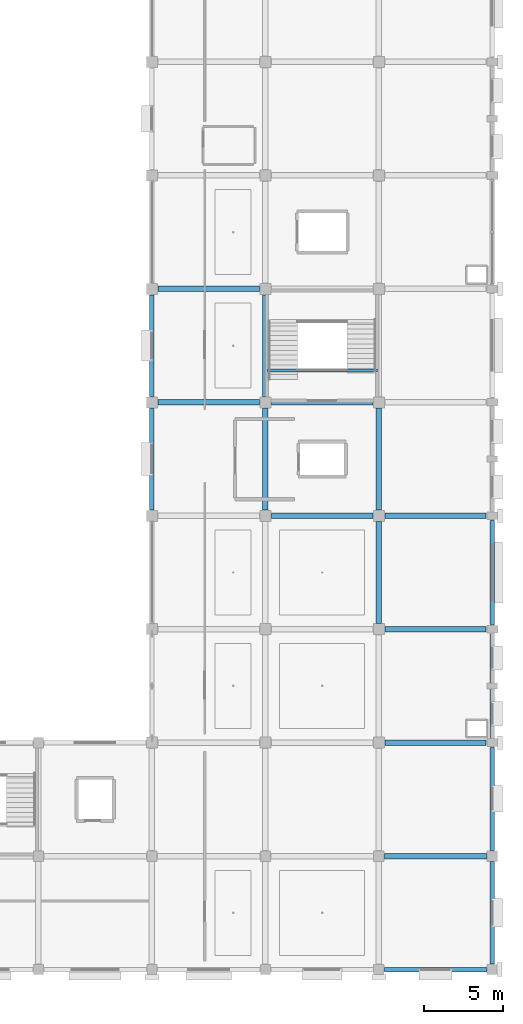
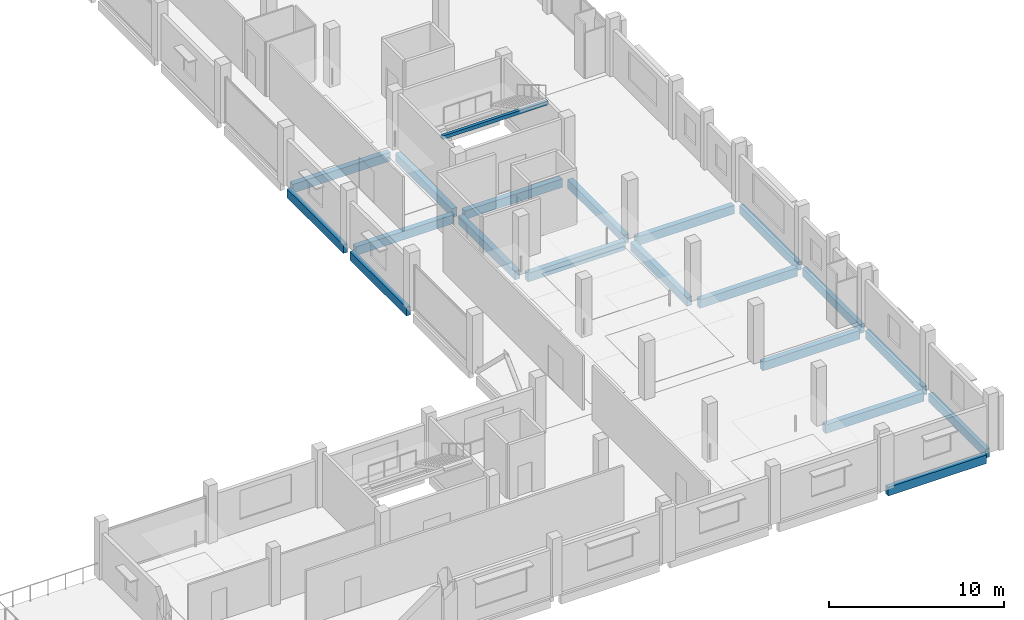
# One storey, part 40 of 91: 20 beams.
"""IFC4 building model written with IfcOpenShell, lengths in metres."""

import ifcopenshell
import ifcopenshell.guid

model = None  # the IFC model being written
_history = None  # IfcOwnerHistory: only IFC2X3 demands one
_inside = {}  # id of a spatial element -> (the spatial element, [elements in it])
_under = {}  # id of a project, library or spatial element -> (it, [spatial elements below it])
_declared = {}  # id of a project -> (the project, [libraries it declares])
_typed = {}  # id of a type object -> (the type object, [elements of that type])
_made_of = {}  # id of a material, layer set ... -> (it, [elements and type objects made of it])


def new_model(schema):
    """Start an empty IFC model of exactly this schema.

    Asked for "IFC4X3", IfcOpenShell would pick the latest addendum, in which some entities
    have other attributes; the version numbers below select the first issue.
    IFC2X3 requires an IfcOwnerHistory on every rooted entity: one is made here for all.
    """
    global model, _history
    if schema == "IFC4X3":
        model = ifcopenshell.file(schema_version=(4, 3, 0, 0))
    else:
        model = ifcopenshell.file(schema=schema)
    _inside.clear()
    _under.clear()
    _declared.clear()
    _typed.clear()
    _made_of.clear()
    _history = None
    if model.schema == "IFC2X3":
        org = make("IfcOrganization", Name="unknown")
        user = make(
            "IfcPersonAndOrganization",
            ThePerson=make("IfcPerson", FamilyName="unknown"),
            TheOrganization=org,
        )
        app = make(
            "IfcApplication",
            ApplicationDeveloper=org,
            Version="unknown",
            ApplicationFullName="unknown",
            ApplicationIdentifier="unknown",
        )
        _history = make(
            "IfcOwnerHistory",
            OwningUser=user,
            OwningApplication=app,
            ChangeAction="ADDED",
            CreationDate=0,
        )
    return model


def make(cls, **values):
    """One entity of the class cls with the attributes given. An attribute that is None is left unset."""
    return model.create_entity(
        cls, **{name: value for name, value in values.items() if value is not None}
    )


def rooted(cls, **values):
    """An entity with a GlobalId (a new one), such as an element, a storey or a relation."""
    return make(cls, GlobalId=ifcopenshell.guid.new(), OwnerHistory=_history, **values)


def si_unit(unit_type, name, prefix=None):
    """IfcSIUnit, for example si_unit("LENGTHUNIT", "METRE", prefix="MILLI")."""
    return make("IfcSIUnit", UnitType=unit_type, Prefix=prefix, Name=name)


def assignment(units):
    """IfcUnitAssignment: the units of a project."""
    return None if units is None else make("IfcUnitAssignment", Units=units)


def point(xyz):
    """IfcCartesianPoint."""
    return None if xyz is None else make("IfcCartesianPoint", Coordinates=xyz)


def direction(xyz):
    """IfcDirection."""
    return None if xyz is None else make("IfcDirection", DirectionRatios=xyz)


def frame(location, z_axis=None, x_axis=None):
    """IfcAxis2Placement3D, a coordinate frame: its origin and axes. An axis left out is left unset."""
    return make(
        "IfcAxis2Placement3D",
        Location=point(location),
        Axis=direction(z_axis),
        RefDirection=direction(x_axis),
    )


def frame_2d(location, x_axis=None):
    """IfcAxis2Placement2D, a coordinate frame in the plane: its origin and x axis."""
    return make(
        "IfcAxis2Placement2D", Location=point(location), RefDirection=direction(x_axis)
    )


def origin():
    """The frame at (0, 0, 0) with its axes left unset."""
    return frame((0.0, 0.0, 0.0))


def origin_2d():
    """The frame at (0, 0) in the plane with its x axis left unset."""
    return frame_2d((0.0, 0.0))


def place(relative_to, where):
    """IfcLocalPlacement: puts the frame where relative to a parent placement (None: the world)."""
    return make(
        "IfcLocalPlacement", PlacementRelTo=relative_to, RelativePlacement=where
    )


def context(
    kind, dimensions, precision=None, world=None, true_north=None, identifier=None
):
    """IfcGeometricRepresentationContext, for example the 3D "Model" context."""
    return make(
        "IfcGeometricRepresentationContext",
        ContextIdentifier=identifier,
        ContextType=kind,
        CoordinateSpaceDimension=dimensions,
        Precision=precision,
        WorldCoordinateSystem=world,
        TrueNorth=true_north,
    )


def subcontext(parent, identifier, kind, view, scale=None):
    """IfcGeometricRepresentationSubContext, for example "Body" below "Model"."""
    return make(
        "IfcGeometricRepresentationSubContext",
        ContextIdentifier=identifier,
        ContextType=kind,
        ParentContext=parent,
        TargetScale=scale,
        TargetView=view,
    )


def project(units=None, contexts=None):
    """IfcProject with its units and contexts."""
    return rooted(
        "IfcProject",
        Name="project",
        RepresentationContexts=contexts,
        UnitsInContext=assignment(units),
    )


def spatial(cls, under=None, at=None, **own):
    """A site, building, storey or space (cls), placed at a placement, below another one or the project."""
    s = rooted(cls, ObjectPlacement=at, **own)
    if under is not None:
        _under.setdefault(under.id(), (under, []))[1].append(s)
    return s


def profile(cls, at=None, kind="AREA", **sizes):
    """A parametric profile (cls). Its sizes go by their IFC names, for example OverallWidth=200.0."""
    return make(cls, ProfileType=kind, Position=at, **sizes)


def rectangle(**sizes):
    """IfcRectangleProfileDef."""
    return profile("IfcRectangleProfileDef", **sizes)


def extrude(swept, where, along, depth):
    """IfcExtrudedAreaSolid: the profile swept, set in the frame where, extruded along a direction by depth."""
    return make(
        "IfcExtrudedAreaSolid",
        SweptArea=swept,
        Position=where,
        ExtrudedDirection=direction(along),
        Depth=depth,
    )


def shape(context_of_items, identifier, shape_type, items):
    """IfcShapeRepresentation: the items that make up one representation, for example the "Body"."""
    return make(
        "IfcShapeRepresentation",
        ContextOfItems=context_of_items,
        RepresentationIdentifier=identifier,
        RepresentationType=shape_type,
        Items=items,
    )


def material(Name=None, Category=None):
    """IfcMaterial."""
    return make("IfcMaterial", Name=Name, Category=Category)


def material_profile(
    of_material, cross_section, Name=None, Category=None, Priority=None
):
    """IfcMaterialProfile: a cross section and its material."""
    return make(
        "IfcMaterialProfile",
        Name=Name,
        Material=of_material,
        Profile=cross_section,
        Priority=Priority,
        Category=Category,
    )


def profile_set(profiles, Name=None, composite=None):
    """IfcMaterialProfileSet."""
    return make(
        "IfcMaterialProfileSet",
        Name=Name,
        MaterialProfiles=profiles,
        CompositeProfile=composite,
    )


def made_of(thing, what):
    """Note that an element or type object is made of a material, layer set ...; save() writes the relation."""
    if what is not None:
        _made_of.setdefault(what.id(), (what, []))[1].append(thing)
    return thing


def type_object(cls, material=None, **own):
    """A type object (cls), such as IfcWallType, which elements share."""
    return made_of(rooted(cls, **own), material)


def element(
    cls,
    number,
    at=None,
    inside=None,
    cuts=None,
    type_object=None,
    material=None,
    context=None,
    identifier="Body",
    shape_type=None,
    held_by="IfcProductDefinitionShape",
    body=None,
    shapes=None,
    **own,
):
    """One element of the class cls, such as IfcWall. Its Tag is "e" and its number.

    at: its placement. inside: the storey or other place that contains it. cuts: it is an
    opening in that element (IfcRelVoidsElement). A single representation is given by context,
    identifier, shape_type and body (its items); several are given by shapes. held_by: the class
    of the entity that holds the representations. save() writes the other relations.
    """
    e = rooted(cls, Tag="e%d" % number, ObjectPlacement=at, **own)
    if body is not None:
        shapes = [shape(context, identifier, shape_type, body)]
    if shapes is not None:
        e.Representation = make(held_by, Representations=shapes)
    if inside is not None:
        _inside.setdefault(inside.id(), (inside, []))[1].append(e)
    if cuts is not None:
        rooted(
            "IfcRelVoidsElement", RelatingBuildingElement=cuts, RelatedOpeningElement=e
        )
    if type_object is not None:
        _typed.setdefault(type_object.id(), (type_object, []))[1].append(e)
    return made_of(e, material)


def aggregate(whole, parts):
    """IfcRelAggregates: a whole, such as a stair, and the parts it consists of."""
    return rooted("IfcRelAggregates", RelatingObject=whole, RelatedObjects=parts)


def save(model, path):
    """Write the relations noted so far, then the file.

    IfcRelAggregates (storeys below a building ...), IfcRelContainedInSpatialStructure (elements
    in a storey), IfcRelDefinesByType, IfcRelAssociatesMaterial and IfcRelDeclares: one each for
    every whole, place, type object, material and project.
    """
    for whole, parts in _under.values():
        aggregate(whole, parts)
    for where, things in _inside.values():
        rooted(
            "IfcRelContainedInSpatialStructure",
            RelatedElements=things,
            RelatingStructure=where,
        )
    for kind, things in _typed.values():
        rooted("IfcRelDefinesByType", RelatedObjects=things, RelatingType=kind)
    for what, things in _made_of.values():
        rooted("IfcRelAssociatesMaterial", RelatedObjects=things, RelatingMaterial=what)
    for by, libraries in _declared.values():
        rooted("IfcRelDeclares", RelatingContext=by, RelatedDefinitions=libraries)
    model.write(path)


model = new_model("IFC4")

# Units and contexts
model_context = context("Model", 3, precision=1e-05, world=origin(), true_north=direction((0.0, 1.0)))
body_context = subcontext(model_context, "Body", "Model", "MODEL_VIEW")
ifc_project = project(units=[si_unit("LENGTHUNIT", "METRE"), si_unit("AREAUNIT", "SQUARE_METRE"), si_unit("VOLUMEUNIT", "CUBIC_METRE"), si_unit("PLANEANGLEUNIT", "RADIAN"), si_unit("MASSUNIT", "GRAM", prefix="KILO")], contexts=[model_context])

# Site, building, storey
site_placement = place(None, origin())
site = spatial("IfcSite", under=ifc_project, at=site_placement, CompositionType="ELEMENT")
building_placement = place(site_placement, origin())
building = spatial("IfcBuilding", under=site, at=building_placement, Name="Kangsadwip Square Police Headquarters", CompositionType="ELEMENT")
storey_placement = place(building_placement, frame((0.0, 0.0, 13.5)))
storey = spatial("IfcBuildingStorey", under=building, at=storey_placement, Name="L03", CompositionType="ELEMENT", Elevation=13.5)

# Beams
ifc_material_1 = material(Name="Concrete M35 (35 MPa)", Category="concrete")
ifc_material_profile_1 = material_profile(ifc_material_1, rectangle(XDim=0.35009765625, YDim=0.60009765625, at=origin_2d()), Name="RC BM 600X350")
ifc_profile_set_1 = profile_set([ifc_material_profile_1], Name="Concrete M35 (35 MPa)")
beam_type_1 = type_object("IfcBeamType", Name="RcBeam600x350", PredefinedType="BEAM", material=ifc_profile_set_1)
beam_1_placement = place(storey_placement, frame((158.75, 28.800048828125, -0.5400390625), z_axis=(1.0, 0.0, 0.0), x_axis=(0.0, 1.0, 0.0)))
element("IfcBeam", 1, at=beam_1_placement, inside=storey, type_object=beam_type_1, Name="Beam BM-L03-X-22-04", PredefinedType="BEAM", context=body_context, shape_type="SweptSolid", body=[
    extrude(rectangle(XDim=0.35009765625, YDim=0.60009765625, at=origin_2d()), origin(), (0.0, 0.0, 1.0), 6.5),
])
for number, where, z_axis, x_axis, name in (
    (2, (158.77490234375, 36.0, -0.5400390625), (1.0, 0.0, 0.0), (0.0, 1.0, 0.0), "Beam BM-L03-X-22-05"),
    (3, (158.77490234375, 43.199951171875, -0.5400390625), (1.0, 0.0, 0.0), (0.0, 1.0, 0.0), "Beam BM-L03-X-22-06"),
):
    element("IfcBeam", number, at=place(storey_placement, frame(where, z_axis=z_axis, x_axis=x_axis)), inside=storey, type_object=beam_type_1, Name=name, PredefinedType="BEAM", context=body_context, shape_type="SweptSolid", body=[
        extrude(rectangle(XDim=0.35009765625, YDim=0.60009765625, at=origin_2d()), origin(), (0.0, 0.0, 1.0), 6.425048828125),
    ])
beam_2_placement = place(storey_placement, frame((151.574951171875, 50.39990234375, -0.5400390625), z_axis=(1.0, 0.0, 0.0), x_axis=(0.0, 1.0, 0.0)))
element("IfcBeam", 4, at=beam_2_placement, inside=storey, type_object=beam_type_1, Name="Beam BM-L03-X-21-07", PredefinedType="BEAM", context=body_context, shape_type="SweptSolid", body=[
    extrude(rectangle(XDim=0.35009765625, YDim=0.60009765625, at=origin_2d()), origin(), (0.0, 0.0, 1.0), 6.449951171875),
])
beam_3_placement = place(storey_placement, frame((158.77490234375, 50.39990234375, -0.5400390625), z_axis=(1.0, 0.0, 0.0), x_axis=(0.0, 1.0, 0.0)))
element("IfcBeam", 5, at=beam_3_placement, inside=storey, type_object=beam_type_1, Name="Beam BM-L03-X-22-07", PredefinedType="BEAM", context=body_context, shape_type="SweptSolid", body=[
    extrude(rectangle(XDim=0.35009765625, YDim=0.60009765625, at=origin_2d()), origin(), (0.0, 0.0, 1.0), 6.425048828125),
])
for number, where, z_axis, x_axis, name in (
    (6, (144.375, 57.60009765625, -0.5400390625), (1.0, 0.0, 0.0), (0.0, 1.0, 0.0), "Beam BM-L03-X-20-08"),
    (7, (151.574951171875, 57.60009765625, -0.5400390625), (1.0, 0.0, 0.0), (0.0, 1.0, 0.0), "Beam BM-L03-X-21-08"),
    (8, (144.375, 64.800048828125, -0.5400390625), (1.0, 0.0, 0.0), (0.0, 1.0, 0.0), "Beam BM-L03-X-20-09"),
):
    element("IfcBeam", number, at=place(storey_placement, frame(where, z_axis=z_axis, x_axis=x_axis)), inside=storey, type_object=beam_type_1, Name=name, PredefinedType="BEAM", context=body_context, shape_type="SweptSolid", body=[
        extrude(rectangle(XDim=0.35009765625, YDim=0.60009765625, at=origin_2d()), origin(), (0.0, 0.0, 1.0), 6.449951171875),
    ])
beam_4_placement = place(storey_placement, frame((151.199951171875, 50.77490234375, -0.5400390625), z_axis=(0.0, 1.0, 0.0), x_axis=(-1.0, 0.0, 0.0)))
element("IfcBeam", 9, at=beam_4_placement, inside=storey, type_object=beam_type_1, Name="Beam BM-L03-Y-21-07", PredefinedType="BEAM", context=body_context, shape_type="SweptSolid", body=[
    extrude(rectangle(XDim=0.35009765625, YDim=0.60009765625, at=origin_2d()), origin(), (0.0, 0.0, 1.0), 6.4501953125),
])
for number, where, z_axis, x_axis, name in (
    (10, (151.199951171875, 57.97509765625, -0.5400390625), (0.0, 1.0, 0.0), (-1.0, 0.0, 0.0), "Beam BM-L03-Y-21-08"),
    (11, (158.39990234375, 43.574951171875, -0.5400390625), (0.0, 1.0, 0.0), (-1.0, 0.0, 0.0), "Beam BM-L03-Y-22-06"),
):
    element("IfcBeam", number, at=place(storey_placement, frame(where, z_axis=z_axis, x_axis=x_axis)), inside=storey, type_object=beam_type_1, Name=name, PredefinedType="BEAM", context=body_context, shape_type="SweptSolid", body=[
        extrude(rectangle(XDim=0.35009765625, YDim=0.60009765625, at=origin_2d()), origin(), (0.0, 0.0, 1.0), 6.449951171875),
    ])
beam_5_placement = place(storey_placement, frame((158.39990234375, 50.77490234375, -0.5400390625), z_axis=(0.0, 1.0, 0.0), x_axis=(-1.0, 0.0, 0.0)))
element("IfcBeam", 12, at=beam_5_placement, inside=storey, type_object=beam_type_1, Name="Beam BM-L03-Y-22-07", PredefinedType="BEAM", context=body_context, shape_type="SweptSolid", body=[
    extrude(rectangle(XDim=0.35009765625, YDim=0.60009765625, at=origin_2d()), origin(), (0.0, 0.0, 1.0), 6.4501953125),
])
ifc_material_2 = material(Name="Concrete M30 (30 MPa)", Category="concrete")
ifc_material_profile_2 = material_profile(ifc_material_2, rectangle(XDim=0.199951171875, YDim=0.25, at=origin_2d()), Name="RC LNT 250X200")
ifc_profile_set_2 = profile_set([ifc_material_profile_2], Name="Concrete M30 (30 MPa)")
beam_type_2 = type_object("IfcBeamType", Name="RcLintel250x200", PredefinedType="LINTEL", material=ifc_profile_set_2)
beam_6_placement = place(storey_placement, frame((151.300048828125, 59.6201171875, 3.68505859375), z_axis=(1.0, 0.0, 0.0), x_axis=(0.0, 1.0, 0.0)))
element("IfcBeam", 13, at=beam_6_placement, inside=storey, type_object=beam_type_2, Name="Stair Carriage and Landing Beam BM-ST-L03-049", PredefinedType="BEAM", context=body_context, shape_type="SweptSolid", body=[
    extrude(rectangle(XDim=0.199951171875, YDim=0.25, at=origin_2d()), origin(), (0.0, 0.0, 1.0), 7.0),
])
ifc_material_3 = material(Name="Concrete M40 (40 MPa)", Category="concrete")
ifc_material_profile_3 = material_profile(ifc_material_3, rectangle(XDim=0.280029296875, YDim=0.60009765625, at=origin_2d()), Name="RC SPN 600X280")
ifc_profile_set_3 = profile_set([ifc_material_profile_3], Name="Concrete M40 (40 MPa)")
beam_type_3 = type_object("IfcBeamType", Name="RcSpandrel600x280", PredefinedType="SPANDREL", material=ifc_profile_set_3)
beam_7_placement = place(storey_placement, frame((158.75, 21.60009765625, -0.5400390625), z_axis=(1.0, 0.0, 0.0), x_axis=(0.0, 1.0, 0.0)))
element("IfcBeam", 14, at=beam_7_placement, inside=storey, type_object=beam_type_3, Name="Beam BM-L03-X-22-03", PredefinedType="SPANDREL", context=body_context, shape_type="SweptSolid", body=[
    extrude(rectangle(XDim=0.280029296875, YDim=0.60009765625, at=origin_2d()), origin(), (0.0, 0.0, 1.0), 6.5),
])
beam_8_placement = place(storey_placement, frame((144.0, 50.77490234375, -0.5400390625), z_axis=(0.0, 1.0, 0.0), x_axis=(-1.0, 0.0, 0.0)))
element("IfcBeam", 15, at=beam_8_placement, inside=storey, type_object=beam_type_3, Name="Beam BM-L03-Y-20-07", PredefinedType="SPANDREL", context=body_context, shape_type="SweptSolid", body=[
    extrude(rectangle(XDim=0.280029296875, YDim=0.60009765625, at=origin_2d()), origin(), (0.0, 0.0, 1.0), 6.4501953125),
])
beam_9_placement = place(storey_placement, frame((144.0, 57.97509765625, -0.5400390625), z_axis=(0.0, 1.0, 0.0), x_axis=(-1.0, 0.0, 0.0)))
element("IfcBeam", 16, at=beam_9_placement, inside=storey, type_object=beam_type_3, Name="Beam BM-L03-Y-20-08", PredefinedType="SPANDREL", context=body_context, shape_type="SweptSolid", body=[
    extrude(rectangle(XDim=0.280029296875, YDim=0.60009765625, at=origin_2d()), origin(), (0.0, 0.0, 1.0), 6.449951171875),
])
beam_10_placement = place(storey_placement, frame((165.60009765625, 21.949951171875, -0.5400390625), z_axis=(0.0, 1.0, 0.0), x_axis=(-1.0, 0.0, 0.0)))
element("IfcBeam", 17, at=beam_10_placement, inside=storey, type_object=beam_type_3, Name="Beam BM-L03-Y-23-03", PredefinedType="SPANDREL", context=body_context, shape_type="SweptSolid", body=[
    extrude(rectangle(XDim=0.280029296875, YDim=0.60009765625, at=origin_2d()), origin(), (0.0, 0.0, 1.0), 6.5),
])
beam_11_placement = place(storey_placement, frame((165.60009765625, 29.14990234375, -0.5400390625), z_axis=(0.0, 1.0, 0.0), x_axis=(-1.0, 0.0, 0.0)))
element("IfcBeam", 18, at=beam_11_placement, inside=storey, type_object=beam_type_3, Name="Beam BM-L03-Y-23-04", PredefinedType="SPANDREL", context=body_context, shape_type="SweptSolid", body=[
    extrude(rectangle(XDim=0.280029296875, YDim=0.60009765625, at=origin_2d()), origin(), (0.0, 0.0, 1.0), 6.550048828125),
])
beam_12_placement = place(storey_placement, frame((165.60009765625, 36.300048828125, -0.5400390625), z_axis=(0.0, 1.0, 0.0), x_axis=(-1.0, 0.0, 0.0)))
element("IfcBeam", 19, at=beam_12_placement, inside=storey, type_object=beam_type_3, Name="Beam BM-L03-Y-23-05", PredefinedType="SPANDREL", context=body_context, shape_type="SweptSolid", body=[
    extrude(rectangle(XDim=0.280029296875, YDim=0.60009765625, at=origin_2d()), origin(), (0.0, 0.0, 1.0), 6.599853515625),
])
beam_13_placement = place(storey_placement, frame((165.60009765625, 43.5, -0.5400390625), z_axis=(0.0, 1.0, 0.0), x_axis=(-1.0, 0.0, 0.0)))
element("IfcBeam", 20, at=beam_13_placement, inside=storey, type_object=beam_type_3, Name="Beam BM-L03-Y-23-06", PredefinedType="SPANDREL", context=body_context, shape_type="SweptSolid", body=[
    extrude(rectangle(XDim=0.280029296875, YDim=0.60009765625, at=origin_2d()), origin(), (0.0, 0.0, 1.0), 6.60009765625),
])

save(model, "model.ifc")
